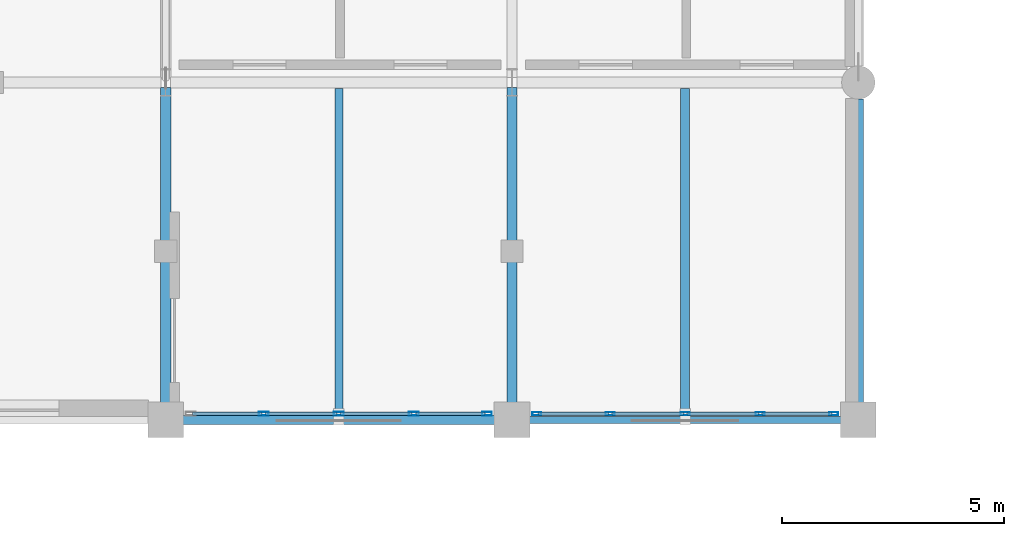
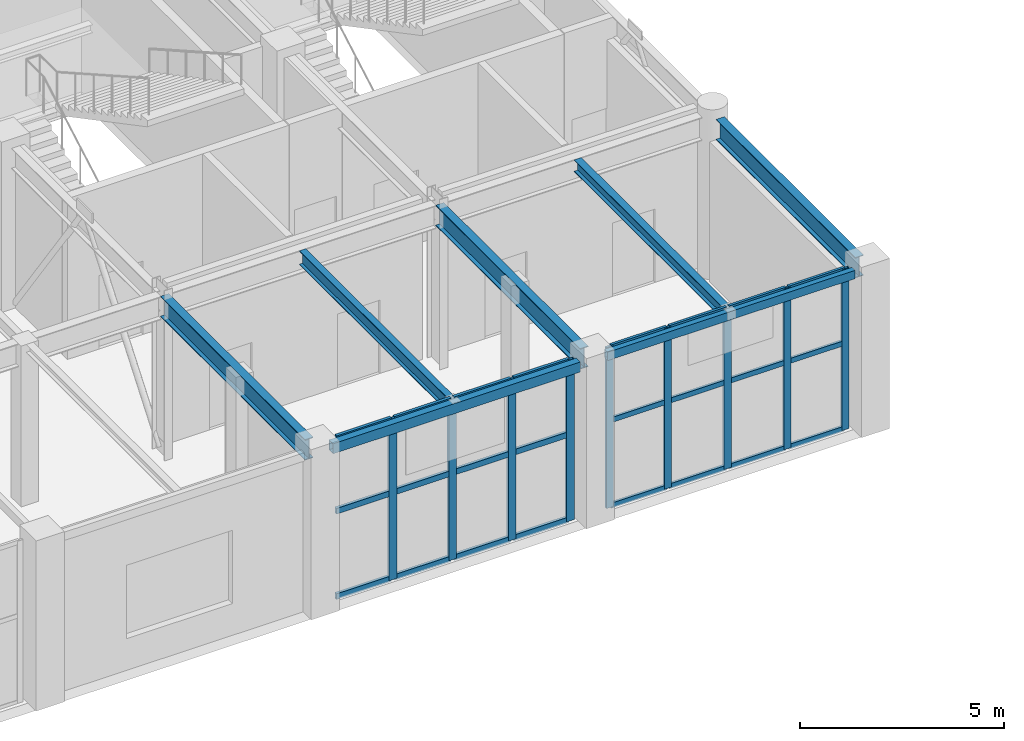
# One storey, part 89 of 128: 33 members, 7 beams, 2 elements without a shape of their own.
"""IFC4 building model written with IfcOpenShell, lengths in metres."""

import ifcopenshell
import ifcopenshell.guid

model = None  # the IFC model being written
_history = None  # IfcOwnerHistory: only IFC2X3 demands one
_inside = {}  # id of a spatial element -> (the spatial element, [elements in it])
_under = {}  # id of a project, library or spatial element -> (it, [spatial elements below it])
_declared = {}  # id of a project -> (the project, [libraries it declares])
_typed = {}  # id of a type object -> (the type object, [elements of that type])
_made_of = {}  # id of a material, layer set ... -> (it, [elements and type objects made of it])


def new_model(schema):
    """Start an empty IFC model of exactly this schema.

    Asked for "IFC4X3", IfcOpenShell would pick the latest addendum, in which some entities
    have other attributes; the version numbers below select the first issue.
    IFC2X3 requires an IfcOwnerHistory on every rooted entity: one is made here for all.
    """
    global model, _history
    if schema == "IFC4X3":
        model = ifcopenshell.file(schema_version=(4, 3, 0, 0))
    else:
        model = ifcopenshell.file(schema=schema)
    _inside.clear()
    _under.clear()
    _declared.clear()
    _typed.clear()
    _made_of.clear()
    _history = None
    if model.schema == "IFC2X3":
        org = make("IfcOrganization", Name="unknown")
        user = make(
            "IfcPersonAndOrganization",
            ThePerson=make("IfcPerson", FamilyName="unknown"),
            TheOrganization=org,
        )
        app = make(
            "IfcApplication",
            ApplicationDeveloper=org,
            Version="unknown",
            ApplicationFullName="unknown",
            ApplicationIdentifier="unknown",
        )
        _history = make(
            "IfcOwnerHistory",
            OwningUser=user,
            OwningApplication=app,
            ChangeAction="ADDED",
            CreationDate=0,
        )
    return model


def make(cls, **values):
    """One entity of the class cls with the attributes given. An attribute that is None is left unset."""
    return model.create_entity(
        cls, **{name: value for name, value in values.items() if value is not None}
    )


def rooted(cls, **values):
    """An entity with a GlobalId (a new one), such as an element, a storey or a relation."""
    return make(cls, GlobalId=ifcopenshell.guid.new(), OwnerHistory=_history, **values)


def si_unit(unit_type, name, prefix=None):
    """IfcSIUnit, for example si_unit("LENGTHUNIT", "METRE", prefix="MILLI")."""
    return make("IfcSIUnit", UnitType=unit_type, Prefix=prefix, Name=name)


def assignment(units):
    """IfcUnitAssignment: the units of a project."""
    return None if units is None else make("IfcUnitAssignment", Units=units)


def point(xyz):
    """IfcCartesianPoint."""
    return None if xyz is None else make("IfcCartesianPoint", Coordinates=xyz)


def direction(xyz):
    """IfcDirection."""
    return None if xyz is None else make("IfcDirection", DirectionRatios=xyz)


def frame(location, z_axis=None, x_axis=None):
    """IfcAxis2Placement3D, a coordinate frame: its origin and axes. An axis left out is left unset."""
    return make(
        "IfcAxis2Placement3D",
        Location=point(location),
        Axis=direction(z_axis),
        RefDirection=direction(x_axis),
    )


def frame_2d(location, x_axis=None):
    """IfcAxis2Placement2D, a coordinate frame in the plane: its origin and x axis."""
    return make(
        "IfcAxis2Placement2D", Location=point(location), RefDirection=direction(x_axis)
    )


def origin():
    """The frame at (0, 0, 0) with its axes left unset."""
    return frame((0.0, 0.0, 0.0))


def origin_2d():
    """The frame at (0, 0) in the plane with its x axis left unset."""
    return frame_2d((0.0, 0.0))


def place(relative_to, where):
    """IfcLocalPlacement: puts the frame where relative to a parent placement (None: the world)."""
    return make(
        "IfcLocalPlacement", PlacementRelTo=relative_to, RelativePlacement=where
    )


def context(
    kind, dimensions, precision=None, world=None, true_north=None, identifier=None
):
    """IfcGeometricRepresentationContext, for example the 3D "Model" context."""
    return make(
        "IfcGeometricRepresentationContext",
        ContextIdentifier=identifier,
        ContextType=kind,
        CoordinateSpaceDimension=dimensions,
        Precision=precision,
        WorldCoordinateSystem=world,
        TrueNorth=true_north,
    )


def subcontext(parent, identifier, kind, view, scale=None):
    """IfcGeometricRepresentationSubContext, for example "Body" below "Model"."""
    return make(
        "IfcGeometricRepresentationSubContext",
        ContextIdentifier=identifier,
        ContextType=kind,
        ParentContext=parent,
        TargetScale=scale,
        TargetView=view,
    )


def project(units=None, contexts=None):
    """IfcProject with its units and contexts."""
    return rooted(
        "IfcProject",
        Name="project",
        RepresentationContexts=contexts,
        UnitsInContext=assignment(units),
    )


def spatial(cls, under=None, at=None, **own):
    """A site, building, storey or space (cls), placed at a placement, below another one or the project."""
    s = rooted(cls, ObjectPlacement=at, **own)
    if under is not None:
        _under.setdefault(under.id(), (under, []))[1].append(s)
    return s


def profile(cls, at=None, kind="AREA", **sizes):
    """A parametric profile (cls). Its sizes go by their IFC names, for example OverallWidth=200.0."""
    return make(cls, ProfileType=kind, Position=at, **sizes)


def hollow_rectangle(**sizes):
    """IfcRectangleHollowProfileDef."""
    return profile("IfcRectangleHollowProfileDef", **sizes)


def i_section(**sizes):
    """IfcIShapeProfileDef."""
    return profile("IfcIShapeProfileDef", **sizes)


def extrude(swept, where, along, depth):
    """IfcExtrudedAreaSolid: the profile swept, set in the frame where, extruded along a direction by depth."""
    return make(
        "IfcExtrudedAreaSolid",
        SweptArea=swept,
        Position=where,
        ExtrudedDirection=direction(along),
        Depth=depth,
    )


def shape(context_of_items, identifier, shape_type, items):
    """IfcShapeRepresentation: the items that make up one representation, for example the "Body"."""
    return make(
        "IfcShapeRepresentation",
        ContextOfItems=context_of_items,
        RepresentationIdentifier=identifier,
        RepresentationType=shape_type,
        Items=items,
    )


def material(Name=None, Category=None):
    """IfcMaterial."""
    return make("IfcMaterial", Name=Name, Category=Category)


def layer(
    of_material, thickness, ventilated=None, Name=None, Category=None, Priority=None
):
    """IfcMaterialLayer: one layer of a wall or slab, of a material (None: an air gap)."""
    return make(
        "IfcMaterialLayer",
        Material=of_material,
        LayerThickness=thickness,
        IsVentilated=ventilated,
        Name=Name,
        Category=Category,
        Priority=Priority,
    )


def layer_set(layers, Name=None):
    """IfcMaterialLayerSet."""
    return make("IfcMaterialLayerSet", MaterialLayers=layers, LayerSetName=Name)


def material_profile(
    of_material, cross_section, Name=None, Category=None, Priority=None
):
    """IfcMaterialProfile: a cross section and its material."""
    return make(
        "IfcMaterialProfile",
        Name=Name,
        Material=of_material,
        Profile=cross_section,
        Priority=Priority,
        Category=Category,
    )


def profile_set(profiles, Name=None, composite=None):
    """IfcMaterialProfileSet."""
    return make(
        "IfcMaterialProfileSet",
        Name=Name,
        MaterialProfiles=profiles,
        CompositeProfile=composite,
    )


def made_of(thing, what):
    """Note that an element or type object is made of a material, layer set ...; save() writes the relation."""
    if what is not None:
        _made_of.setdefault(what.id(), (what, []))[1].append(thing)
    return thing


def type_object(cls, material=None, **own):
    """A type object (cls), such as IfcWallType, which elements share."""
    return made_of(rooted(cls, **own), material)


def element(
    cls,
    number,
    at=None,
    inside=None,
    cuts=None,
    type_object=None,
    material=None,
    context=None,
    identifier="Body",
    shape_type=None,
    held_by="IfcProductDefinitionShape",
    body=None,
    shapes=None,
    **own,
):
    """One element of the class cls, such as IfcWall. Its Tag is "e" and its number.

    at: its placement. inside: the storey or other place that contains it. cuts: it is an
    opening in that element (IfcRelVoidsElement). A single representation is given by context,
    identifier, shape_type and body (its items); several are given by shapes. held_by: the class
    of the entity that holds the representations. save() writes the other relations.
    """
    e = rooted(cls, Tag="e%d" % number, ObjectPlacement=at, **own)
    if body is not None:
        shapes = [shape(context, identifier, shape_type, body)]
    if shapes is not None:
        e.Representation = make(held_by, Representations=shapes)
    if inside is not None:
        _inside.setdefault(inside.id(), (inside, []))[1].append(e)
    if cuts is not None:
        rooted(
            "IfcRelVoidsElement", RelatingBuildingElement=cuts, RelatedOpeningElement=e
        )
    if type_object is not None:
        _typed.setdefault(type_object.id(), (type_object, []))[1].append(e)
    return made_of(e, material)


def aggregate(whole, parts):
    """IfcRelAggregates: a whole, such as a stair, and the parts it consists of."""
    return rooted("IfcRelAggregates", RelatingObject=whole, RelatedObjects=parts)


def save(model, path):
    """Write the relations noted so far, then the file.

    IfcRelAggregates (storeys below a building ...), IfcRelContainedInSpatialStructure (elements
    in a storey), IfcRelDefinesByType, IfcRelAssociatesMaterial and IfcRelDeclares: one each for
    every whole, place, type object, material and project.
    """
    for whole, parts in _under.values():
        aggregate(whole, parts)
    for where, things in _inside.values():
        rooted(
            "IfcRelContainedInSpatialStructure",
            RelatedElements=things,
            RelatingStructure=where,
        )
    for kind, things in _typed.values():
        rooted("IfcRelDefinesByType", RelatedObjects=things, RelatingType=kind)
    for what, things in _made_of.values():
        rooted("IfcRelAssociatesMaterial", RelatedObjects=things, RelatingMaterial=what)
    for by, libraries in _declared.values():
        rooted("IfcRelDeclares", RelatingContext=by, RelatedDefinitions=libraries)
    model.write(path)


model = new_model("IFC4")

# Units and contexts
model_context = context("Model", 3, precision=1e-05, world=origin(), true_north=direction((0.0, 1.0)))
body_context = subcontext(model_context, "Body", "Model", "MODEL_VIEW")
ifc_project = project(units=[si_unit("LENGTHUNIT", "METRE"), si_unit("AREAUNIT", "SQUARE_METRE"), si_unit("VOLUMEUNIT", "CUBIC_METRE"), si_unit("PLANEANGLEUNIT", "RADIAN"), si_unit("MASSUNIT", "GRAM", prefix="KILO")], contexts=[model_context])

# Site, building, storey
site_placement = place(None, origin())
site = spatial("IfcSite", under=ifc_project, at=site_placement, CompositionType="ELEMENT")
building_placement = place(site_placement, origin())
building = spatial("IfcBuilding", under=site, at=building_placement, Name="Xicomal Pleat Aquarium", CompositionType="ELEMENT")
storey_placement = place(building_placement, frame((0.0, 0.0, 5.39990234375)))
storey = spatial("IfcBuildingStorey", under=building, at=storey_placement, Name="L02", CompositionType="ELEMENT", Elevation=5.39990234375)

# Beams
ifc_material_1 = material(Name="Structural steel A992 Gr 50", Category="steel")
ifc_material_profile_1 = material_profile(ifc_material_1, i_section(OverallWidth=0.205078125, OverallDepth=0.35400390625, WebThickness=0.009521484375, FlangeThickness=0.016845703125, at=origin_2d()), Name="IR 360x79")
ifc_profile_set_1 = profile_set([ifc_material_profile_1], Name="Structural steel A992 Gr 50")
beam_type_1 = type_object("IfcBeamType", Name="BM-STL-IR360", PredefinedType="JOIST", material=ifc_profile_set_1)
beam_1_placement = place(storey_placement, frame((153.300048828125, 76.077880859375, 4.64306640625), z_axis=(0.0, 1.0, 0.0), x_axis=(-1.0, 0.0, 0.0)))
element("IfcBeam", 1, at=beam_1_placement, inside=storey, type_object=beam_type_1, Name="L02 framing beam FBJ-L02-19-L-1", PredefinedType="JOIST", context=body_context, shape_type="SweptSolid", body=[
    extrude(i_section(OverallWidth=0.205078125, OverallDepth=0.35400390625, WebThickness=0.009521484375, FlangeThickness=0.016845703125, at=origin_2d()), origin(), (0.0, 0.0, 1.0), 7.39111328125),
])
ifc_material_2 = material(Name="Structural steel A992 Gr 50", Category="steel")
ifc_material_profile_2 = material_profile(ifc_material_2, i_section(OverallWidth=0.180908203125, OverallDepth=0.4169921875, WebThickness=0.010986328125, FlangeThickness=0.018310546875, at=origin_2d()), Name="IR 410x85")
ifc_profile_set_2 = profile_set([ifc_material_profile_2], Name="Structural steel A992 Gr 50")
beam_type_2 = type_object("IfcBeamType", Name="BM-STL-IR410", PredefinedType="JOIST", material=ifc_profile_set_2)
beam_2_placement = place(storey_placement, frame((145.5, 76.10302734375, 4.611572265625), z_axis=(0.0, 1.0, 0.0), x_axis=(-1.0, 0.0, 0.0)))
element("IfcBeam", 2, at=beam_2_placement, inside=storey, type_object=beam_type_2, Name="L02 framing beam FBJ-L02-18-L-1", PredefinedType="JOIST", context=body_context, shape_type="SweptSolid", body=[
    extrude(i_section(OverallWidth=0.180908203125, OverallDepth=0.4169921875, WebThickness=0.010986328125, FlangeThickness=0.018310546875, at=origin_2d()), origin(), (0.0, 0.0, 1.0), 7.365966796875),
])
ifc_material_3 = material(Name="Structural steel A992 Gr 50", Category="steel")
ifc_material_profile_3 = material_profile(ifc_material_3, i_section(OverallWidth=0.22998046875, OverallDepth=0.616943359375, WebThickness=0.01318359375, FlangeThickness=0.022216796875, at=origin_2d()), Name="IR 610x140")
ifc_profile_set_3 = profile_set([ifc_material_profile_3], Name="Structural steel A992 Gr 50")
beam_type_3 = type_object("IfcBeamType", Name="BM-STL-IR610", PredefinedType="BEAM", material=ifc_profile_set_3)
for number, where, z_axis, x_axis, name in (
    (3, (141.60009765625, 76.39501953125, 4.51171875), (0.0, 1.0, 0.0), (-1.0, 0.0, 0.0), "L02 framing beam FGY-L02-18-L-M"),
    (4, (149.39990234375, 76.39501953125, 4.51171875), (0.0, 1.0, 0.0), (-1.0, 0.0, 0.0), "L02 framing beam FGY-L02-19-L-M"),
):
    element("IfcBeam", number, at=place(storey_placement, frame(where, z_axis=z_axis, x_axis=x_axis)), inside=storey, type_object=beam_type_3, Name=name, PredefinedType="BEAM", context=body_context, shape_type="SweptSolid", body=[
        extrude(i_section(OverallWidth=0.22998046875, OverallDepth=0.616943359375, WebThickness=0.01318359375, FlangeThickness=0.022216796875, at=origin_2d()), origin(), (0.0, 0.0, 1.0), 7.094970703125),
    ])
beam_3_placement = place(storey_placement, frame((157.199951171875, 76.39501953125, 4.51171875), z_axis=(0.0, 1.0, 0.0), x_axis=(-1.0, 0.0, 0.0)))
element("IfcBeam", 5, at=beam_3_placement, inside=storey, type_object=beam_type_3, Name="L02 framing beam FGY-L02-20-L-M", PredefinedType="BEAM", context=body_context, shape_type="SweptSolid", body=[
    extrude(i_section(OverallWidth=0.22998046875, OverallDepth=0.616943359375, WebThickness=0.01318359375, FlangeThickness=0.022216796875, at=origin_2d()), origin(), (0.0, 0.0, 1.0), 6.8349609375),
])
ifc_material_4 = material(Name="Structural steel A500 Gr C", Category="steel")
ifc_material_profile_4 = material_profile(ifc_material_4, hollow_rectangle(XDim=0.14990234375, YDim=0.25, WallThickness=0.010009765625, at=origin_2d()), Name="OR 250x150x10")
ifc_profile_set_4 = profile_set([ifc_material_profile_4], Name="Structural steel A500 Gr C")
beam_type_4 = type_object("IfcBeamType", Name="BM-STL-OR250", PredefinedType="SPANDREL", material=ifc_profile_set_4)
beam_4_placement = place(storey_placement, frame((149.794921875, 76.0, 4.695068359375), z_axis=(1.0, 0.0, 0.0), x_axis=(0.0, 1.0, 0.0)))
element("IfcBeam", 6, at=beam_4_placement, inside=storey, type_object=beam_type_4, Name="L02 framing beam FGX-L02-19-20-L", PredefinedType="SPANDREL", context=body_context, shape_type="SweptSolid", body=[
    extrude(hollow_rectangle(XDim=0.14990234375, YDim=0.25, WallThickness=0.010009765625, at=origin_2d()), origin(), (0.0, 0.0, 1.0), 7.010009765625),
])
ifc_material_5 = material(Name="Structural steel A500 Gr C", Category="steel")
ifc_material_profile_5 = material_profile(ifc_material_5, hollow_rectangle(XDim=0.199951171875, YDim=0.300048828125, WallThickness=0.011962890625, at=origin_2d()), Name="OR 300x200x12")
ifc_profile_set_5 = profile_set([ifc_material_profile_5], Name="Structural steel A500 Gr C")
beam_type_5 = type_object("IfcBeamType", Name="BM-STL-OR300", PredefinedType="SPANDREL", material=ifc_profile_set_5)
beam_5_placement = place(storey_placement, frame((141.9951171875, 76.0, 4.670166015625), z_axis=(1.0, 0.0, 0.0), x_axis=(0.0, 1.0, 0.0)))
element("IfcBeam", 7, at=beam_5_placement, inside=storey, type_object=beam_type_5, Name="L02 framing beam FGX-L02-18-19-L", PredefinedType="SPANDREL", context=body_context, shape_type="SweptSolid", body=[
    extrude(hollow_rectangle(XDim=0.199951171875, YDim=0.300048828125, WallThickness=0.011962890625, at=origin_2d()), origin(), (0.0, 0.0, 1.0), 7.009765625),
])

# Curtain wall, members
ifc_material_6 = material(Name="Bronze anodized aluminium 6063-T6", Category="aluminium")
ifc_layer_1 = layer(ifc_material_6, 0.159912109375)
ifc_layer_set_1 = layer_set([ifc_layer_1], Name="Bronze anodized aluminium 6063-T6")
curtain_wall_type_1 = type_object("IfcCurtainWallType", Name="CW-SYS-07", PredefinedType="NOTDEFINED", material=ifc_layer_set_1)
curtain_wall_1_placement = place(storey_placement, origin())
curtain_wall_1 = element("IfcCurtainWall", 8, at=curtain_wall_1_placement, inside=storey, type_object=curtain_wall_type_1, Name="L02 unitised curtain wall CW-L02-082", PredefinedType="NOTDEFINED")
ifc_material_7 = material(Name="Bronze anodized aluminium 6063-T6", Category="aluminium")
ifc_material_profile_6 = material_profile(ifc_material_7, hollow_rectangle(XDim=0.074951171875, YDim=0.199951171875, WallThickness=0.00439453125, at=origin_2d()), Name="ALU MULL 75x200")
ifc_profile_set_6 = profile_set([ifc_material_profile_6], Name="Bronze anodized aluminium 6063-T6")
member_type_1 = type_object("IfcMemberType", Name="CWM-75x200", PredefinedType="MULLION", material=ifc_profile_set_6)
member_1_placement = place(storey_placement, frame((156.642578125, 76.139892578125, 0.0), z_axis=(0.0, 0.0, 1.0), x_axis=(0.0, -1.0, 0.0)))
member_1 = element("IfcMember", 9, at=member_1_placement, type_object=member_type_1, Name="CW-07 mullion 1", PredefinedType="MULLION", context=body_context, shape_type="SweptSolid", body=[
    extrude(hollow_rectangle(XDim=0.074951171875, YDim=0.199951171875, WallThickness=0.00439453125, at=origin_2d()), origin(), (0.0, 0.0, 1.0), 4.820068359375),
])
member_2_placement = place(storey_placement, frame((154.989990234375, 76.139892578125, 0.0), z_axis=(0.0, 0.0, 1.0), x_axis=(0.0, -1.0, 0.0)))
member_2 = element("IfcMember", 10, at=member_2_placement, type_object=member_type_1, Name="CW-07 mullion 2", PredefinedType="MULLION", context=body_context, shape_type="SweptSolid", body=[
    extrude(hollow_rectangle(XDim=0.074951171875, YDim=0.199951171875, WallThickness=0.00439453125, at=origin_2d()), origin(), (0.0, 0.0, 1.0), 4.820068359375),
])
member_3_placement = place(storey_placement, frame((153.300048828125, 76.139892578125, 0.0), z_axis=(0.0, 0.0, 1.0), x_axis=(0.0, -1.0, 0.0)))
member_3 = element("IfcMember", 11, at=member_3_placement, type_object=member_type_1, Name="CW-07 mullion 3", PredefinedType="MULLION", context=body_context, shape_type="SweptSolid", body=[
    extrude(hollow_rectangle(XDim=0.074951171875, YDim=0.199951171875, WallThickness=0.00439453125, at=origin_2d()), origin(), (0.0, 0.0, 1.0), 4.820068359375),
])
member_4_placement = place(storey_placement, frame((151.610107421875, 76.139892578125, 0.0), z_axis=(0.0, 0.0, 1.0), x_axis=(0.0, -1.0, 0.0)))
member_4 = element("IfcMember", 12, at=member_4_placement, type_object=member_type_1, Name="CW-07 mullion 4", PredefinedType="MULLION", context=body_context, shape_type="SweptSolid", body=[
    extrude(hollow_rectangle(XDim=0.074951171875, YDim=0.199951171875, WallThickness=0.00439453125, at=origin_2d()), origin(), (0.0, 0.0, 1.0), 4.820068359375),
])
member_5_placement = place(storey_placement, frame((149.95751953125, 76.139892578125, 0.0), z_axis=(0.0, 0.0, 1.0), x_axis=(0.0, -1.0, 0.0)))
member_5 = element("IfcMember", 13, at=member_5_placement, type_object=member_type_1, Name="CW-07 mullion 5", PredefinedType="MULLION", context=body_context, shape_type="SweptSolid", body=[
    extrude(hollow_rectangle(XDim=0.074951171875, YDim=0.199951171875, WallThickness=0.00439453125, at=origin_2d()), origin(), (0.0, 0.0, 1.0), 4.820068359375),
])

ifc_material_8 = material(Name="Bronze anodized aluminium 6063-T6", Category="aluminium")
ifc_layer_2 = layer(ifc_material_8, 0.159912109375)
ifc_layer_set_2 = layer_set([ifc_layer_2], Name="Bronze anodized aluminium 6063-T6")
curtain_wall_type_2 = type_object("IfcCurtainWallType", Name="CW-SYS-12", PredefinedType="NOTDEFINED", material=ifc_layer_set_2)
curtain_wall_2_placement = place(storey_placement, origin())
curtain_wall_2 = element("IfcCurtainWall", 14, at=curtain_wall_2_placement, inside=storey, type_object=curtain_wall_type_2, Name="L02 unitised curtain wall CW-L02-083", PredefinedType="NOTDEFINED")
ifc_material_9 = material(Name="Bronze anodized aluminium 6063-T6", Category="aluminium")
ifc_material_profile_7 = material_profile(ifc_material_9, hollow_rectangle(XDim=0.0849609375, YDim=0.219970703125, WallThickness=0.0048828125, at=origin_2d()), Name="ALU MULL 85x220")
ifc_profile_set_7 = profile_set([ifc_material_profile_7], Name="Bronze anodized aluminium 6063-T6")
member_type_2 = type_object("IfcMemberType", Name="CWM-85x220", PredefinedType="MULLION", material=ifc_profile_set_7)
member_6_placement = place(storey_placement, frame((148.83740234375, 76.139892578125, 0.0), z_axis=(0.0, 0.0, 1.0), x_axis=(0.0, -1.0, 0.0)))
member_6 = element("IfcMember", 15, at=member_6_placement, type_object=member_type_2, Name="CW-12 mullion 1", PredefinedType="MULLION", context=body_context, shape_type="SweptSolid", body=[
    extrude(hollow_rectangle(XDim=0.0849609375, YDim=0.219970703125, WallThickness=0.0048828125, at=origin_2d()), origin(), (0.0, 0.0, 1.0), 4.820068359375),
])
member_7_placement = place(storey_placement, frame((147.18994140625, 76.139892578125, 0.0), z_axis=(0.0, 0.0, 1.0), x_axis=(0.0, -1.0, 0.0)))
member_7 = element("IfcMember", 16, at=member_7_placement, type_object=member_type_2, Name="CW-12 mullion 2", PredefinedType="MULLION", context=body_context, shape_type="SweptSolid", body=[
    extrude(hollow_rectangle(XDim=0.0849609375, YDim=0.219970703125, WallThickness=0.0048828125, at=origin_2d()), origin(), (0.0, 0.0, 1.0), 4.820068359375),
])
member_8_placement = place(storey_placement, frame((145.5, 76.139892578125, 0.0), z_axis=(0.0, 0.0, 1.0), x_axis=(0.0, -1.0, 0.0)))
member_8 = element("IfcMember", 17, at=member_8_placement, type_object=member_type_2, Name="CW-12 mullion 3", PredefinedType="MULLION", context=body_context, shape_type="SweptSolid", body=[
    extrude(hollow_rectangle(XDim=0.0849609375, YDim=0.219970703125, WallThickness=0.0048828125, at=origin_2d()), origin(), (0.0, 0.0, 1.0), 4.820068359375),
])
member_9_placement = place(storey_placement, frame((143.81005859375, 76.139892578125, 0.0), z_axis=(0.0, 0.0, 1.0), x_axis=(0.0, -1.0, 0.0)))
member_9 = element("IfcMember", 18, at=member_9_placement, type_object=member_type_2, Name="CW-12 mullion 4", PredefinedType="MULLION", context=body_context, shape_type="SweptSolid", body=[
    extrude(hollow_rectangle(XDim=0.0849609375, YDim=0.219970703125, WallThickness=0.0048828125, at=origin_2d()), origin(), (0.0, 0.0, 1.0), 4.820068359375),
])

# Member
ifc_material_10 = material(Name="Bronze anodized aluminium 6063-T6", Category="aluminium")
ifc_material_profile_8 = material_profile(ifc_material_10, hollow_rectangle(XDim=0.074951171875, YDim=0.14990234375, WallThickness=0.00439453125, at=origin_2d()), Name="ALU TRAN 75x150")
ifc_profile_set_8 = profile_set([ifc_material_profile_8], Name="Bronze anodized aluminium 6063-T6")
member_type_3 = type_object("IfcMemberType", Name="CWT-75x150", PredefinedType="USERDEFINED", material=ifc_profile_set_8)
member_10_placement = place(storey_placement, frame((156.60498046875, 76.139892578125, 0.03759765625), z_axis=(-1.0, 0.0, 0.0), x_axis=(0.0, -1.0, 0.0)))
member_10 = element("IfcMember", 19, at=member_10_placement, type_object=member_type_3, Name="CW-07 transom 1.1", ObjectType="TRANSOM", PredefinedType="USERDEFINED", context=body_context, shape_type="SweptSolid", body=[
    extrude(hollow_rectangle(XDim=0.074951171875, YDim=0.14990234375, WallThickness=0.00439453125, at=origin_2d()), origin(), (0.0, 0.0, 1.0), 1.577392578125),
])

member_11_placement = place(storey_placement, frame((156.60498046875, 76.139892578125, 2.60302734375), z_axis=(-1.0, 0.0, 0.0), x_axis=(0.0, -1.0, 0.0)))
member_11 = element("IfcMember", 20, at=member_11_placement, type_object=member_type_3, Name="CW-07 transom 1.2", ObjectType="TRANSOM", PredefinedType="USERDEFINED", context=body_context, shape_type="SweptSolid", body=[
    extrude(hollow_rectangle(XDim=0.074951171875, YDim=0.14990234375, WallThickness=0.00439453125, at=origin_2d()), origin(), (0.0, 0.0, 1.0), 1.577392578125),
])

member_12_placement = place(storey_placement, frame((156.60498046875, 76.139892578125, 4.78271484375), z_axis=(-1.0, 0.0, 0.0), x_axis=(0.0, -1.0, 0.0)))
member_12 = element("IfcMember", 21, at=member_12_placement, type_object=member_type_3, Name="CW-07 transom 1.3", ObjectType="TRANSOM", PredefinedType="USERDEFINED", context=body_context, shape_type="SweptSolid", body=[
    extrude(hollow_rectangle(XDim=0.074951171875, YDim=0.14990234375, WallThickness=0.00439453125, at=origin_2d()), origin(), (0.0, 0.0, 1.0), 1.577392578125),
])

member_13_placement = place(storey_placement, frame((154.952392578125, 76.139892578125, 0.03759765625), z_axis=(-1.0, 0.0, 0.0), x_axis=(0.0, -1.0, 0.0)))
member_13 = element("IfcMember", 22, at=member_13_placement, type_object=member_type_3, Name="CW-07 transom 2.1", ObjectType="TRANSOM", PredefinedType="USERDEFINED", context=body_context, shape_type="SweptSolid", body=[
    extrude(hollow_rectangle(XDim=0.074951171875, YDim=0.14990234375, WallThickness=0.00439453125, at=origin_2d()), origin(), (0.0, 0.0, 1.0), 1.614990234375),
])

member_14_placement = place(storey_placement, frame((154.952392578125, 76.139892578125, 2.60302734375), z_axis=(-1.0, 0.0, 0.0), x_axis=(0.0, -1.0, 0.0)))
member_14 = element("IfcMember", 23, at=member_14_placement, type_object=member_type_3, Name="CW-07 transom 2.2", ObjectType="TRANSOM", PredefinedType="USERDEFINED", context=body_context, shape_type="SweptSolid", body=[
    extrude(hollow_rectangle(XDim=0.074951171875, YDim=0.14990234375, WallThickness=0.00439453125, at=origin_2d()), origin(), (0.0, 0.0, 1.0), 1.614990234375),
])

member_15_placement = place(storey_placement, frame((154.952392578125, 76.139892578125, 4.78271484375), z_axis=(-1.0, 0.0, 0.0), x_axis=(0.0, -1.0, 0.0)))
member_15 = element("IfcMember", 24, at=member_15_placement, type_object=member_type_3, Name="CW-07 transom 2.3", ObjectType="TRANSOM", PredefinedType="USERDEFINED", context=body_context, shape_type="SweptSolid", body=[
    extrude(hollow_rectangle(XDim=0.074951171875, YDim=0.14990234375, WallThickness=0.00439453125, at=origin_2d()), origin(), (0.0, 0.0, 1.0), 1.614990234375),
])

member_16_placement = place(storey_placement, frame((153.262451171875, 76.139892578125, 0.03759765625), z_axis=(-1.0, 0.0, 0.0), x_axis=(0.0, -1.0, 0.0)))
member_16 = element("IfcMember", 25, at=member_16_placement, type_object=member_type_3, Name="CW-07 transom 3.1", ObjectType="TRANSOM", PredefinedType="USERDEFINED", context=body_context, shape_type="SweptSolid", body=[
    extrude(hollow_rectangle(XDim=0.074951171875, YDim=0.14990234375, WallThickness=0.00439453125, at=origin_2d()), origin(), (0.0, 0.0, 1.0), 1.614990234375),
])

member_17_placement = place(storey_placement, frame((153.262451171875, 76.139892578125, 2.60302734375), z_axis=(-1.0, 0.0, 0.0), x_axis=(0.0, -1.0, 0.0)))
member_17 = element("IfcMember", 26, at=member_17_placement, type_object=member_type_3, Name="CW-07 transom 3.2", ObjectType="TRANSOM", PredefinedType="USERDEFINED", context=body_context, shape_type="SweptSolid", body=[
    extrude(hollow_rectangle(XDim=0.074951171875, YDim=0.14990234375, WallThickness=0.00439453125, at=origin_2d()), origin(), (0.0, 0.0, 1.0), 1.614990234375),
])

member_18_placement = place(storey_placement, frame((153.262451171875, 76.139892578125, 4.78271484375), z_axis=(-1.0, 0.0, 0.0), x_axis=(0.0, -1.0, 0.0)))
member_18 = element("IfcMember", 27, at=member_18_placement, type_object=member_type_3, Name="CW-07 transom 3.3", ObjectType="TRANSOM", PredefinedType="USERDEFINED", context=body_context, shape_type="SweptSolid", body=[
    extrude(hollow_rectangle(XDim=0.074951171875, YDim=0.14990234375, WallThickness=0.00439453125, at=origin_2d()), origin(), (0.0, 0.0, 1.0), 1.614990234375),
])

member_19_placement = place(storey_placement, frame((151.572509765625, 76.139892578125, 0.03759765625), z_axis=(-1.0, 0.0, 0.0), x_axis=(0.0, -1.0, 0.0)))
member_19 = element("IfcMember", 28, at=member_19_placement, type_object=member_type_3, Name="CW-07 transom 4.1", ObjectType="TRANSOM", PredefinedType="USERDEFINED", context=body_context, shape_type="SweptSolid", body=[
    extrude(hollow_rectangle(XDim=0.074951171875, YDim=0.14990234375, WallThickness=0.00439453125, at=origin_2d()), origin(), (0.0, 0.0, 1.0), 1.577392578125),
])

member_20_placement = place(storey_placement, frame((151.572509765625, 76.139892578125, 2.60302734375), z_axis=(-1.0, 0.0, 0.0), x_axis=(0.0, -1.0, 0.0)))
member_20 = element("IfcMember", 29, at=member_20_placement, type_object=member_type_3, Name="CW-07 transom 4.2", ObjectType="TRANSOM", PredefinedType="USERDEFINED", context=body_context, shape_type="SweptSolid", body=[
    extrude(hollow_rectangle(XDim=0.074951171875, YDim=0.14990234375, WallThickness=0.00439453125, at=origin_2d()), origin(), (0.0, 0.0, 1.0), 1.577392578125),
])

member_21_placement = place(storey_placement, frame((151.572509765625, 76.139892578125, 4.78271484375), z_axis=(-1.0, 0.0, 0.0), x_axis=(0.0, -1.0, 0.0)))
member_21 = element("IfcMember", 30, at=member_21_placement, type_object=member_type_3, Name="CW-07 transom 4.3", ObjectType="TRANSOM", PredefinedType="USERDEFINED", context=body_context, shape_type="SweptSolid", body=[
    extrude(hollow_rectangle(XDim=0.074951171875, YDim=0.14990234375, WallThickness=0.00439453125, at=origin_2d()), origin(), (0.0, 0.0, 1.0), 1.577392578125),
])

aggregate(curtain_wall_1, [member_1, member_2, member_3, member_4, member_5, member_10, member_11, member_12, member_13, member_14, member_15, member_16, member_17, member_18, member_19, member_20, member_21])

ifc_material_11 = material(Name="Bronze anodized aluminium 6063-T6", Category="aluminium")
ifc_material_profile_9 = material_profile(ifc_material_11, hollow_rectangle(XDim=0.0849609375, YDim=0.169921875, WallThickness=0.0048828125, at=origin_2d()), Name="ALU TRAN 85x170")
ifc_profile_set_9 = profile_set([ifc_material_profile_9], Name="Bronze anodized aluminium 6063-T6")
member_type_4 = type_object("IfcMemberType", Name="CWT-85x170", PredefinedType="USERDEFINED", material=ifc_profile_set_9)
member_22_placement = place(storey_placement, frame((148.794921875, 76.139892578125, 0.04248046875), z_axis=(-1.0, 0.0, 0.0), x_axis=(0.0, -1.0, 0.0)))
member_22 = element("IfcMember", 31, at=member_22_placement, type_object=member_type_4, Name="CW-12 transom 1.1", ObjectType="TRANSOM", PredefinedType="USERDEFINED", context=body_context, shape_type="SweptSolid", body=[
    extrude(hollow_rectangle(XDim=0.0849609375, YDim=0.169921875, WallThickness=0.0048828125, at=origin_2d()), origin(), (0.0, 0.0, 1.0), 1.5625),
])

member_23_placement = place(storey_placement, frame((148.794921875, 76.139892578125, 2.60302734375), z_axis=(-1.0, 0.0, 0.0), x_axis=(0.0, -1.0, 0.0)))
member_23 = element("IfcMember", 32, at=member_23_placement, type_object=member_type_4, Name="CW-12 transom 1.2", ObjectType="TRANSOM", PredefinedType="USERDEFINED", context=body_context, shape_type="SweptSolid", body=[
    extrude(hollow_rectangle(XDim=0.0849609375, YDim=0.169921875, WallThickness=0.0048828125, at=origin_2d()), origin(), (0.0, 0.0, 1.0), 1.5625),
])

member_24_placement = place(storey_placement, frame((148.794921875, 76.139892578125, 4.777587890625), z_axis=(-1.0, 0.0, 0.0), x_axis=(0.0, -1.0, 0.0)))
member_24 = element("IfcMember", 33, at=member_24_placement, type_object=member_type_4, Name="CW-12 transom 1.3", ObjectType="TRANSOM", PredefinedType="USERDEFINED", context=body_context, shape_type="SweptSolid", body=[
    extrude(hollow_rectangle(XDim=0.0849609375, YDim=0.169921875, WallThickness=0.0048828125, at=origin_2d()), origin(), (0.0, 0.0, 1.0), 1.5625),
])

member_25_placement = place(storey_placement, frame((147.1474609375, 76.139892578125, 0.04248046875), z_axis=(-1.0, 0.0, 0.0), x_axis=(0.0, -1.0, 0.0)))
member_25 = element("IfcMember", 34, at=member_25_placement, type_object=member_type_4, Name="CW-12 transom 2.1", ObjectType="TRANSOM", PredefinedType="USERDEFINED", context=body_context, shape_type="SweptSolid", body=[
    extrude(hollow_rectangle(XDim=0.0849609375, YDim=0.169921875, WallThickness=0.0048828125, at=origin_2d()), origin(), (0.0, 0.0, 1.0), 1.60498046875),
])

member_26_placement = place(storey_placement, frame((147.1474609375, 76.139892578125, 2.60302734375), z_axis=(-1.0, 0.0, 0.0), x_axis=(0.0, -1.0, 0.0)))
member_26 = element("IfcMember", 35, at=member_26_placement, type_object=member_type_4, Name="CW-12 transom 2.2", ObjectType="TRANSOM", PredefinedType="USERDEFINED", context=body_context, shape_type="SweptSolid", body=[
    extrude(hollow_rectangle(XDim=0.0849609375, YDim=0.169921875, WallThickness=0.0048828125, at=origin_2d()), origin(), (0.0, 0.0, 1.0), 1.60498046875),
])

member_27_placement = place(storey_placement, frame((147.1474609375, 76.139892578125, 4.777587890625), z_axis=(-1.0, 0.0, 0.0), x_axis=(0.0, -1.0, 0.0)))
member_27 = element("IfcMember", 36, at=member_27_placement, type_object=member_type_4, Name="CW-12 transom 2.3", ObjectType="TRANSOM", PredefinedType="USERDEFINED", context=body_context, shape_type="SweptSolid", body=[
    extrude(hollow_rectangle(XDim=0.0849609375, YDim=0.169921875, WallThickness=0.0048828125, at=origin_2d()), origin(), (0.0, 0.0, 1.0), 1.60498046875),
])

member_28_placement = place(storey_placement, frame((145.45751953125, 76.139892578125, 0.04248046875), z_axis=(-1.0, 0.0, 0.0), x_axis=(0.0, -1.0, 0.0)))
member_28 = element("IfcMember", 37, at=member_28_placement, type_object=member_type_4, Name="CW-12 transom 3.1", ObjectType="TRANSOM", PredefinedType="USERDEFINED", context=body_context, shape_type="SweptSolid", body=[
    extrude(hollow_rectangle(XDim=0.0849609375, YDim=0.169921875, WallThickness=0.0048828125, at=origin_2d()), origin(), (0.0, 0.0, 1.0), 1.60498046875),
])

member_29_placement = place(storey_placement, frame((145.45751953125, 76.139892578125, 2.60302734375), z_axis=(-1.0, 0.0, 0.0), x_axis=(0.0, -1.0, 0.0)))
member_29 = element("IfcMember", 38, at=member_29_placement, type_object=member_type_4, Name="CW-12 transom 3.2", ObjectType="TRANSOM", PredefinedType="USERDEFINED", context=body_context, shape_type="SweptSolid", body=[
    extrude(hollow_rectangle(XDim=0.0849609375, YDim=0.169921875, WallThickness=0.0048828125, at=origin_2d()), origin(), (0.0, 0.0, 1.0), 1.60498046875),
])

member_30_placement = place(storey_placement, frame((145.45751953125, 76.139892578125, 4.777587890625), z_axis=(-1.0, 0.0, 0.0), x_axis=(0.0, -1.0, 0.0)))
member_30 = element("IfcMember", 39, at=member_30_placement, type_object=member_type_4, Name="CW-12 transom 3.3", ObjectType="TRANSOM", PredefinedType="USERDEFINED", context=body_context, shape_type="SweptSolid", body=[
    extrude(hollow_rectangle(XDim=0.0849609375, YDim=0.169921875, WallThickness=0.0048828125, at=origin_2d()), origin(), (0.0, 0.0, 1.0), 1.60498046875),
])

member_31_placement = place(storey_placement, frame((143.767578125, 76.139892578125, 0.04248046875), z_axis=(-1.0, 0.0, 0.0), x_axis=(0.0, -1.0, 0.0)))
member_31 = element("IfcMember", 40, at=member_31_placement, type_object=member_type_4, Name="CW-12 transom 4.1", ObjectType="TRANSOM", PredefinedType="USERDEFINED", context=body_context, shape_type="SweptSolid", body=[
    extrude(hollow_rectangle(XDim=0.0849609375, YDim=0.169921875, WallThickness=0.0048828125, at=origin_2d()), origin(), (0.0, 0.0, 1.0), 1.5625),
])

member_32_placement = place(storey_placement, frame((143.767578125, 76.139892578125, 2.60302734375), z_axis=(-1.0, 0.0, 0.0), x_axis=(0.0, -1.0, 0.0)))
member_32 = element("IfcMember", 41, at=member_32_placement, type_object=member_type_4, Name="CW-12 transom 4.2", ObjectType="TRANSOM", PredefinedType="USERDEFINED", context=body_context, shape_type="SweptSolid", body=[
    extrude(hollow_rectangle(XDim=0.0849609375, YDim=0.169921875, WallThickness=0.0048828125, at=origin_2d()), origin(), (0.0, 0.0, 1.0), 1.5625),
])

member_33_placement = place(storey_placement, frame((143.767578125, 76.139892578125, 4.777587890625), z_axis=(-1.0, 0.0, 0.0), x_axis=(0.0, -1.0, 0.0)))
member_33 = element("IfcMember", 42, at=member_33_placement, type_object=member_type_4, Name="CW-12 transom 4.3", ObjectType="TRANSOM", PredefinedType="USERDEFINED", context=body_context, shape_type="SweptSolid", body=[
    extrude(hollow_rectangle(XDim=0.0849609375, YDim=0.169921875, WallThickness=0.0048828125, at=origin_2d()), origin(), (0.0, 0.0, 1.0), 1.5625),
])

aggregate(curtain_wall_2, [member_6, member_7, member_8, member_9, member_22, member_23, member_24, member_25, member_26, member_27, member_28, member_29, member_30, member_31, member_32, member_33])

save(model, "model.ifc")
